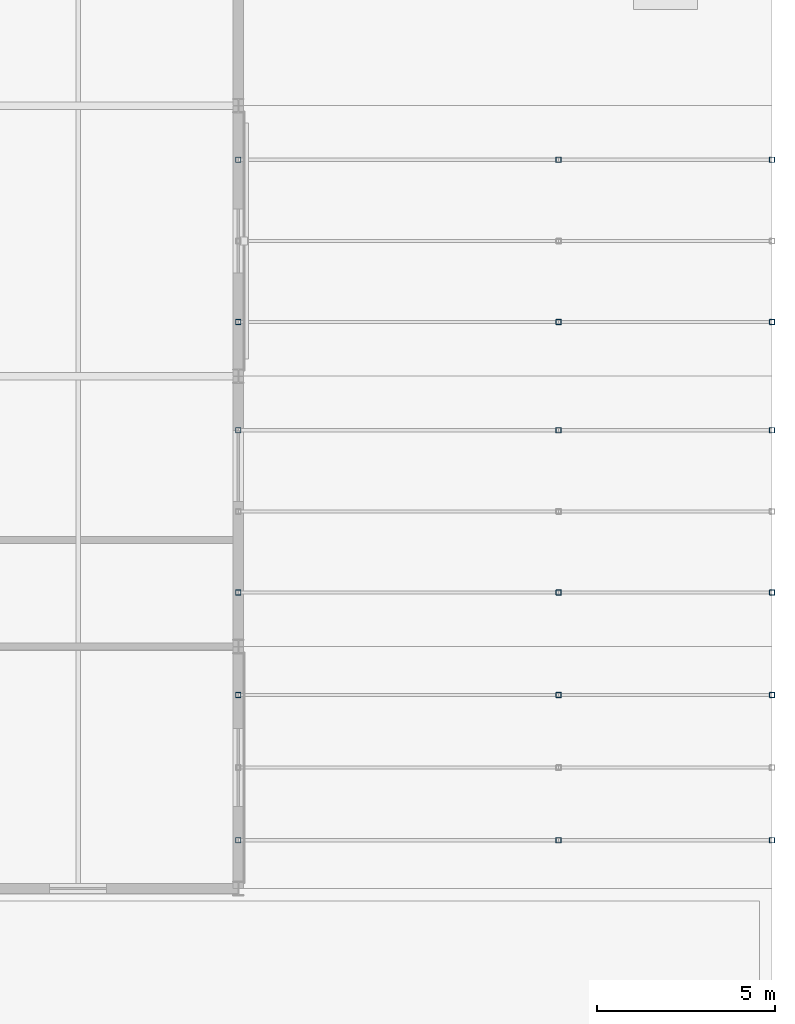
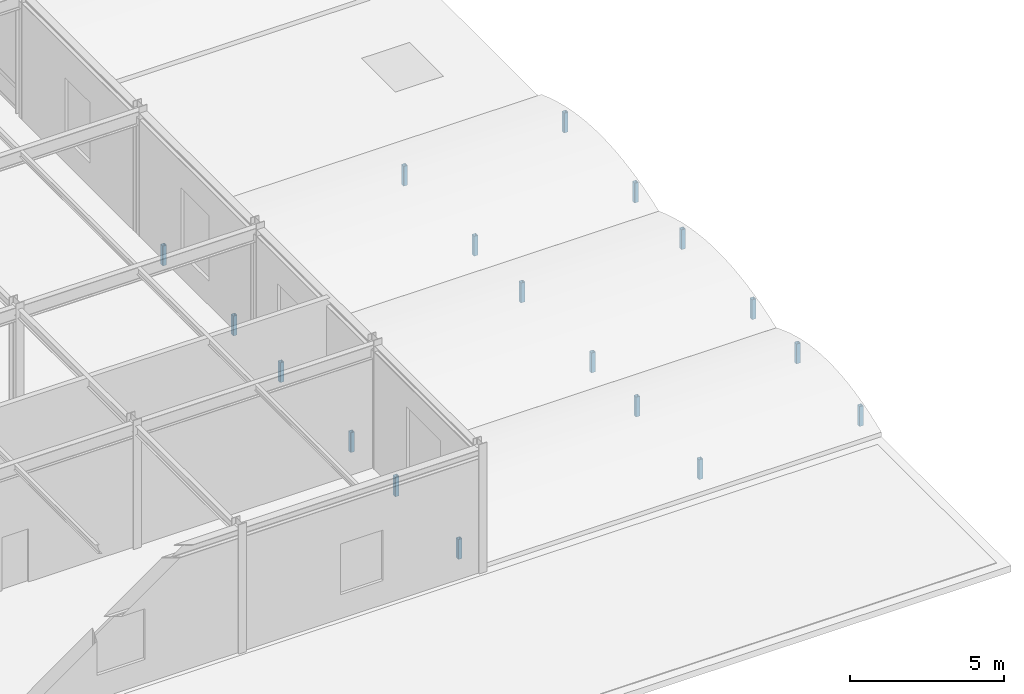
# One storey, part 81 of 113: 18 members.
"""IFC4 building model written with IfcOpenShell, lengths in metres."""

from ifc_helpers import new_model, si_unit, direction, frame, origin, origin_2d, place, context, subcontext, project, spatial, hollow_rectangle, extrude, material, material_profile, profile_set, type_object, element, save


model = new_model("IFC4")

# Units and contexts
model_context = context("Model", 3, precision=1e-05, world=origin(), true_north=direction((0.0, 1.0)))
body_context = subcontext(model_context, "Body", "Model", "MODEL_VIEW")
ifc_project = project(units=[si_unit("LENGTHUNIT", "METRE"), si_unit("AREAUNIT", "SQUARE_METRE"), si_unit("VOLUMEUNIT", "CUBIC_METRE"), si_unit("PLANEANGLEUNIT", "RADIAN"), si_unit("MASSUNIT", "GRAM", prefix="KILO")], contexts=[model_context])

# Site, building, storey
site_placement = place(None, origin())
site = spatial("IfcSite", under=ifc_project, at=site_placement, CompositionType="ELEMENT")
building_placement = place(site_placement, origin())
building = spatial("IfcBuilding", under=site, at=building_placement, Name="Shalkamar Park Central Library", CompositionType="ELEMENT")
storey_placement = place(building_placement, frame((0.0, 0.0, 5.39990234375)))
storey = spatial("IfcBuildingStorey", under=building, at=storey_placement, Name="L02", CompositionType="ELEMENT", Elevation=5.39990234375)

# Members
ifc_material = material(Name="Steel S355", Category="steel")
ifc_material_profile = material_profile(ifc_material, hollow_rectangle(XDim=0.14990234375, YDim=0.14990234375, WallThickness=0.008056640625, InnerFilletRadius=0.008056640625, OuterFilletRadius=0.011962890625, at=origin_2d()), Name="SHS 150x150x8")
ifc_profile_set = profile_set([ifc_material_profile], Name="Steel S355")
member_type = type_object("IfcMemberType", Name="Diagonal Brace SHS150", PredefinedType="BRACE", material=ifc_profile_set)
for number, where, z_axis, x_axis, name in (
    (1, (273.0, 249.760009765625, -0.35986328125), (0.0, 0.0, 1.0), (1.0, 0.0, 0.0), "Vault Arch Post BV-L01-E1-20.1"),
    (2, (273.0, 253.840087890625, -0.35986328125), (0.0, 0.0, 1.0), (1.0, 0.0, 0.0), "Vault Arch Post BV-L01-E1-20.3"),
    (3, (282.0, 249.760009765625, -0.35986328125), (0.0, 0.0, 1.0), (1.0, 0.0, 0.0), "Vault Arch Post BV-L01-E1-21.1"),
    (4, (282.0, 253.840087890625, -0.35986328125), (0.0, 0.0, 1.0), (1.0, 0.0, 0.0), "Vault Arch Post BV-L01-E1-21.3"),
    (5, (288.0, 249.760009765625, -0.35986328125), (0.0, 0.0, 1.0), (1.0, 0.0, 0.0), "Vault Arch Post BV-L01-E1-22.1"),
    (6, (288.0, 253.840087890625, -0.35986328125), (0.0, 0.0, 1.0), (1.0, 0.0, 0.0), "Vault Arch Post BV-L01-E1-22.3"),
    (7, (273.0, 256.719970703125, -0.35986328125), (0.0, 0.0, 1.0), (1.0, 0.0, 0.0), "Vault Arch Post BV-L01-E2-20.1"),
    (8, (273.0, 261.280029296875, -0.35986328125), (0.0, 0.0, 1.0), (1.0, 0.0, 0.0), "Vault Arch Post BV-L01-E2-20.3"),
    (9, (282.0, 256.719970703125, -0.35986328125), (0.0, 0.0, 1.0), (1.0, 0.0, 0.0), "Vault Arch Post BV-L01-E2-21.1"),
    (10, (282.0, 261.280029296875, -0.35986328125), (0.0, 0.0, 1.0), (1.0, 0.0, 0.0), "Vault Arch Post BV-L01-E2-21.3"),
    (11, (288.0, 256.719970703125, -0.35986328125), (0.0, 0.0, 1.0), (1.0, 0.0, 0.0), "Vault Arch Post BV-L01-E2-22.1"),
    (12, (288.0, 261.280029296875, -0.35986328125), (0.0, 0.0, 1.0), (1.0, 0.0, 0.0), "Vault Arch Post BV-L01-E2-22.3"),
    (13, (273.0, 264.320068359375, -0.35986328125), (0.0, 0.0, 1.0), (1.0, 0.0, 0.0), "Vault Arch Post BV-L01-E3-20.1"),
    (14, (273.0, 268.8798828125, -0.35986328125), (0.0, 0.0, 1.0), (1.0, 0.0, 0.0), "Vault Arch Post BV-L01-E3-20.3"),
    (15, (282.0, 264.320068359375, -0.35986328125), (0.0, 0.0, 1.0), (1.0, 0.0, 0.0), "Vault Arch Post BV-L01-E3-21.1"),
    (16, (282.0, 268.8798828125, -0.35986328125), (0.0, 0.0, 1.0), (1.0, 0.0, 0.0), "Vault Arch Post BV-L01-E3-21.3"),
    (17, (288.0, 264.320068359375, -0.35986328125), (0.0, 0.0, 1.0), (1.0, 0.0, 0.0), "Vault Arch Post BV-L01-E3-22.1"),
    (18, (288.0, 268.8798828125, -0.35986328125), (0.0, 0.0, 1.0), (1.0, 0.0, 0.0), "Vault Arch Post BV-L01-E3-22.3"),
):
    element("IfcMember", number, at=place(storey_placement, frame(where, z_axis=z_axis, x_axis=x_axis)), inside=storey, type_object=member_type, Name=name, PredefinedType="BRACE", context=body_context, shape_type="SweptSolid", body=[
        extrude(hollow_rectangle(XDim=0.14990234375, YDim=0.14990234375, WallThickness=0.008056640625, InnerFilletRadius=0.008056640625, OuterFilletRadius=0.011962890625, at=origin_2d()), origin(), (0.0, 0.0, 1.0), 0.78076171875),
    ])

save(model, "model.ifc")
